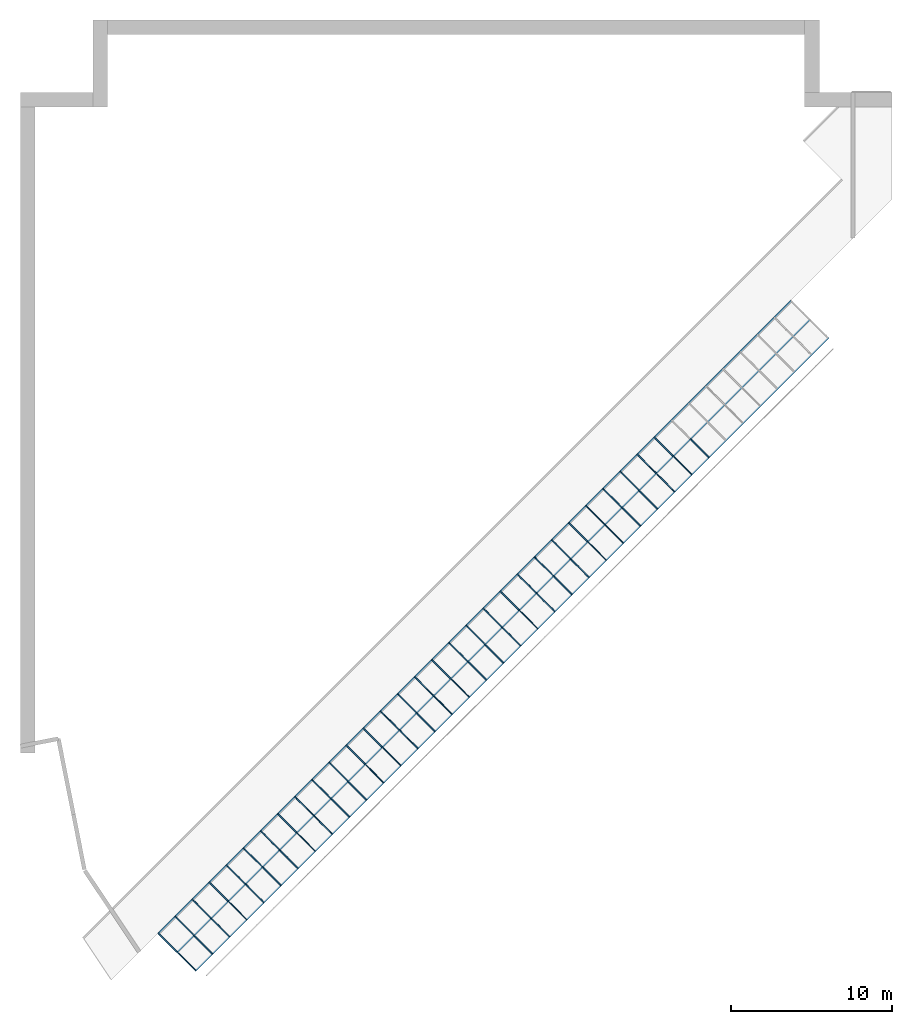
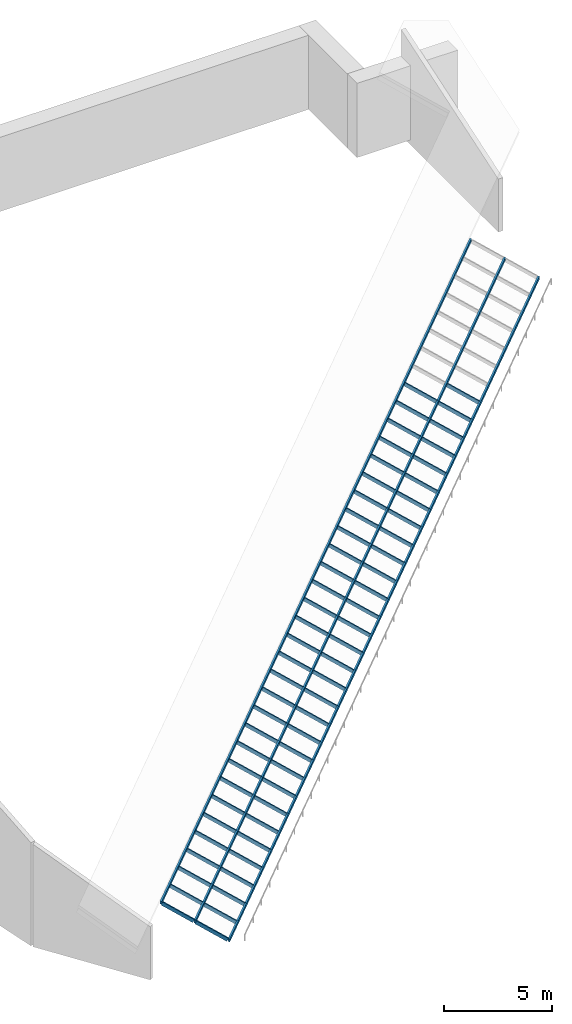
# One storey, part 1 of 4: 64 members, 1 element without a shape of its own.
"""IFC4 building model written with IfcOpenShell, lengths in metres."""

from ifc_helpers import new_model, si_unit, direction, frame, origin, origin_2d, place, context, subcontext, project, spatial, rectangle, extrude, material, material_profile, profile_set, type_object, element, aggregate, save


model = new_model("IFC4")

# Units and contexts
model_context = context("Model", 3, precision=1e-05, world=origin(), true_north=direction((0.0, 1.0)))
body_context = subcontext(model_context, "Body", "Model", "MODEL_VIEW")
ifc_project = project(units=[si_unit("LENGTHUNIT", "METRE"), si_unit("AREAUNIT", "SQUARE_METRE"), si_unit("VOLUMEUNIT", "CUBIC_METRE"), si_unit("PLANEANGLEUNIT", "RADIAN"), si_unit("MASSUNIT", "GRAM", prefix="KILO")], contexts=[model_context])

# Site, building, storey
site_placement = place(None, origin())
site = spatial("IfcSite", under=ifc_project, at=site_placement, CompositionType="ELEMENT")
building_placement = place(site_placement, origin())
building = spatial("IfcBuilding", under=site, at=building_placement, Name="Hunhe Ridgeline Campus", CompositionType="ELEMENT")
storey_placement = place(building_placement, frame((0.0, 0.0, 311.39990234375)))
storey = spatial("IfcBuildingStorey", under=building, at=storey_placement, Name="L80 Crown", CompositionType="ELEMENT", Elevation=311.39990234375)

# Curtain wall, members
ifc_material = material(Name="Aluminium 6063", Category="aluminium")
curtain_wall_type = type_object("IfcCurtainWallType", Name="Curtain wall CW-6", PredefinedType="NOTDEFINED", material=ifc_material)
curtain_wall_placement = place(storey_placement, origin())
curtain_wall = element("IfcCurtainWall", 1, at=curtain_wall_placement, inside=storey, type_object=curtain_wall_type, Name="Rooflight 2", PredefinedType="NOTDEFINED")
ifc_material_profile_1 = material_profile(ifc_material, rectangle(XDim=0.070068359375, YDim=0.199951171875, at=origin_2d()))
ifc_profile_set_1 = profile_set([ifc_material_profile_1], Name="Aluminium 6063")
member_type_1 = type_object("IfcMemberType", Name="CW-6 aluminium mullion", PredefinedType="MULLION", material=ifc_profile_set_1)
member_1_placement = place(storey_placement, frame((42.614013671875, 71.937255859375, 1.37109375), z_axis=(-0.639602149067, 0.639602149067, 0.426401432711), x_axis=(-0.707106781187, -0.707106781187, 0.0)))
member_1 = element("IfcMember", 2, at=member_1_placement, type_object=member_type_1, Name="E-L80 Crown-RL-02/M0-07", PredefinedType="MULLION", context=body_context, shape_type="SweptSolid", body=[
    extrude(rectangle(XDim=0.070068359375, YDim=0.199951171875, at=origin_2d()), origin(), (0.0, 0.0, 1.0), 1.693603515625),
])
member_2_placement = place(storey_placement, frame((41.553466796875, 70.87646484375, 1.37109375), z_axis=(-0.639602149067, 0.639602149067, 0.426401432711), x_axis=(-0.707106781187, -0.707106781187, 0.0)))
member_2 = element("IfcMember", 3, at=member_2_placement, type_object=member_type_1, Name="E-L80 Crown-RL-02/M0-08", PredefinedType="MULLION", context=body_context, shape_type="SweptSolid", body=[
    extrude(rectangle(XDim=0.070068359375, YDim=0.199951171875, at=origin_2d()), origin(), (0.0, 0.0, 1.0), 1.693603515625),
])
member_3_placement = place(storey_placement, frame((40.492919921875, 69.81591796875, 1.37109375), z_axis=(-0.639687317978, 0.63954317933, 0.426362119554), x_axis=(-0.707027102695, -0.707186450701, 0.0)))
member_3 = element("IfcMember", 4, at=member_3_placement, type_object=member_type_1, Name="E-L80 Crown-RL-02/M0-09", PredefinedType="MULLION", context=body_context, shape_type="SweptSolid", body=[
    extrude(rectangle(XDim=0.070068359375, YDim=0.199951171875, at=origin_2d()), origin(), (0.0, 0.0, 1.0), 1.69384765625),
])
member_4_placement = place(storey_placement, frame((39.43212890625, 68.755126953125, 1.37109375), z_axis=(-0.639602149067, 0.639602149067, 0.426401432711), x_axis=(-0.707106781187, -0.707106781187, 0.0)))
member_4 = element("IfcMember", 5, at=member_4_placement, type_object=member_type_1, Name="E-L80 Crown-RL-02/M0-10", PredefinedType="MULLION", context=body_context, shape_type="SweptSolid", body=[
    extrude(rectangle(XDim=0.070068359375, YDim=0.199951171875, at=origin_2d()), origin(), (0.0, 0.0, 1.0), 1.693603515625),
])
member_5_placement = place(storey_placement, frame((38.37158203125, 67.694580078125, 1.37109375), z_axis=(-0.639602149067, 0.639602149067, 0.426401432711), x_axis=(-0.707106781187, -0.707106781187, 0.0)))
member_5 = element("IfcMember", 6, at=member_5_placement, type_object=member_type_1, Name="E-L80 Crown-RL-02/M0-11", PredefinedType="MULLION", context=body_context, shape_type="SweptSolid", body=[
    extrude(rectangle(XDim=0.070068359375, YDim=0.199951171875, at=origin_2d()), origin(), (0.0, 0.0, 1.0), 1.693603515625),
])
member_6_placement = place(storey_placement, frame((37.310791015625, 66.6337890625, 1.37109375), z_axis=(-0.639602149067, 0.639602149067, 0.426401432711), x_axis=(-0.707106781187, -0.707106781187, 0.0)))
member_6 = element("IfcMember", 7, at=member_6_placement, type_object=member_type_1, Name="E-L80 Crown-RL-02/M0-12", PredefinedType="MULLION", context=body_context, shape_type="SweptSolid", body=[
    extrude(rectangle(XDim=0.070068359375, YDim=0.199951171875, at=origin_2d()), origin(), (0.0, 0.0, 1.0), 1.693603515625),
])
member_7_placement = place(storey_placement, frame((36.250244140625, 65.5732421875, 1.37109375), z_axis=(-0.639602149067, 0.639602149067, 0.426401432711), x_axis=(-0.707106781187, -0.707106781187, 0.0)))
member_7 = element("IfcMember", 8, at=member_7_placement, type_object=member_type_1, Name="E-L80 Crown-RL-02/M0-13", PredefinedType="MULLION", context=body_context, shape_type="SweptSolid", body=[
    extrude(rectangle(XDim=0.070068359375, YDim=0.199951171875, at=origin_2d()), origin(), (0.0, 0.0, 1.0), 1.693603515625),
])
member_8_placement = place(storey_placement, frame((35.189453125, 64.512451171875, 1.37109375), z_axis=(-0.63954317933, 0.639687317978, 0.426362119554), x_axis=(-0.707186450701, -0.707027102695, 0.0)))
member_8 = element("IfcMember", 9, at=member_8_placement, type_object=member_type_1, Name="E-L80 Crown-RL-02/M0-14", PredefinedType="MULLION", context=body_context, shape_type="SweptSolid", body=[
    extrude(rectangle(XDim=0.070068359375, YDim=0.199951171875, at=origin_2d()), origin(), (0.0, 0.0, 1.0), 1.69384765625),
])
member_9_placement = place(storey_placement, frame((34.12890625, 63.451904296875, 1.37109375), z_axis=(-0.639602149067, 0.639602149067, 0.426401432711), x_axis=(-0.707106781187, -0.707106781187, 0.0)))
member_9 = element("IfcMember", 10, at=member_9_placement, type_object=member_type_1, Name="E-L80 Crown-RL-02/M0-15", PredefinedType="MULLION", context=body_context, shape_type="SweptSolid", body=[
    extrude(rectangle(XDim=0.070068359375, YDim=0.199951171875, at=origin_2d()), origin(), (0.0, 0.0, 1.0), 1.693603515625),
])
member_10_placement = place(storey_placement, frame((33.068115234375, 62.39111328125, 1.37109375), z_axis=(-0.63954317933, 0.639687317978, 0.426362119554), x_axis=(-0.707186450701, -0.707027102695, 0.0)))
member_10 = element("IfcMember", 11, at=member_10_placement, type_object=member_type_1, Name="E-L80 Crown-RL-02/M0-16", PredefinedType="MULLION", context=body_context, shape_type="SweptSolid", body=[
    extrude(rectangle(XDim=0.070068359375, YDim=0.199951171875, at=origin_2d()), origin(), (0.0, 0.0, 1.0), 1.69384765625),
])
member_11_placement = place(storey_placement, frame((32.007568359375, 61.33056640625, 1.37109375), z_axis=(-0.639602149067, 0.639602149067, 0.426401432711), x_axis=(-0.707106781187, -0.707106781187, 0.0)))
member_11 = element("IfcMember", 12, at=member_11_placement, type_object=member_type_1, Name="E-L80 Crown-RL-02/M0-17", PredefinedType="MULLION", context=body_context, shape_type="SweptSolid", body=[
    extrude(rectangle(XDim=0.070068359375, YDim=0.199951171875, at=origin_2d()), origin(), (0.0, 0.0, 1.0), 1.693603515625),
])
member_12_placement = place(storey_placement, frame((30.94677734375, 60.27001953125, 1.37109375), z_axis=(-0.639602149067, 0.639602149067, 0.426401432711), x_axis=(-0.707106781187, -0.707106781187, 0.0)))
member_12 = element("IfcMember", 13, at=member_12_placement, type_object=member_type_1, Name="E-L80 Crown-RL-02/M0-18", PredefinedType="MULLION", context=body_context, shape_type="SweptSolid", body=[
    extrude(rectangle(XDim=0.070068359375, YDim=0.199951171875, at=origin_2d()), origin(), (0.0, 0.0, 1.0), 1.693603515625),
])
member_13_placement = place(storey_placement, frame((29.88623046875, 59.209228515625, 1.37109375), z_axis=(-0.639602149067, 0.639602149067, 0.426401432711), x_axis=(-0.707106781187, -0.707106781187, 0.0)))
member_13 = element("IfcMember", 14, at=member_13_placement, type_object=member_type_1, Name="E-L80 Crown-RL-02/M0-19", PredefinedType="MULLION", context=body_context, shape_type="SweptSolid", body=[
    extrude(rectangle(XDim=0.070068359375, YDim=0.199951171875, at=origin_2d()), origin(), (0.0, 0.0, 1.0), 1.693603515625),
])
member_14_placement = place(storey_placement, frame((28.825439453125, 58.148681640625, 1.37109375), z_axis=(-0.639602149067, 0.639602149067, 0.426401432711), x_axis=(-0.707106781187, -0.707106781187, 0.0)))
member_14 = element("IfcMember", 15, at=member_14_placement, type_object=member_type_1, Name="E-L80 Crown-RL-02/M0-20", PredefinedType="MULLION", context=body_context, shape_type="SweptSolid", body=[
    extrude(rectangle(XDim=0.070068359375, YDim=0.199951171875, at=origin_2d()), origin(), (0.0, 0.0, 1.0), 1.693603515625),
])
member_15_placement = place(storey_placement, frame((27.764892578125, 57.087890625, 1.37109375), z_axis=(-0.639602149067, 0.639602149067, 0.426401432711), x_axis=(-0.707106781187, -0.707106781187, 0.0)))
member_15 = element("IfcMember", 16, at=member_15_placement, type_object=member_type_1, Name="E-L80 Crown-RL-02/M0-21", PredefinedType="MULLION", context=body_context, shape_type="SweptSolid", body=[
    extrude(rectangle(XDim=0.070068359375, YDim=0.199951171875, at=origin_2d()), origin(), (0.0, 0.0, 1.0), 1.693603515625),
])
member_16_placement = place(storey_placement, frame((26.7041015625, 56.02734375, 1.37109375), z_axis=(-0.639602149067, 0.639602149067, 0.426401432711), x_axis=(-0.707106781187, -0.707106781187, 0.0)))
member_16 = element("IfcMember", 17, at=member_16_placement, type_object=member_type_1, Name="E-L80 Crown-RL-02/M0-22", PredefinedType="MULLION", context=body_context, shape_type="SweptSolid", body=[
    extrude(rectangle(XDim=0.070068359375, YDim=0.199951171875, at=origin_2d()), origin(), (0.0, 0.0, 1.0), 1.693603515625),
])
member_17_placement = place(storey_placement, frame((25.6435546875, 54.966552734375, 1.37109375), z_axis=(-0.639602149067, 0.639602149067, 0.426401432711), x_axis=(-0.707106781187, -0.707106781187, 0.0)))
member_17 = element("IfcMember", 18, at=member_17_placement, type_object=member_type_1, Name="E-L80 Crown-RL-02/M0-23", PredefinedType="MULLION", context=body_context, shape_type="SweptSolid", body=[
    extrude(rectangle(XDim=0.070068359375, YDim=0.199951171875, at=origin_2d()), origin(), (0.0, 0.0, 1.0), 1.693603515625),
])
member_18_placement = place(storey_placement, frame((24.5830078125, 53.906005859375, 1.37109375), z_axis=(-0.639687317978, 0.63954317933, 0.426362119554), x_axis=(-0.707027102695, -0.707186450701, 0.0)))
member_18 = element("IfcMember", 19, at=member_18_placement, type_object=member_type_1, Name="E-L80 Crown-RL-02/M0-24", PredefinedType="MULLION", context=body_context, shape_type="SweptSolid", body=[
    extrude(rectangle(XDim=0.070068359375, YDim=0.199951171875, at=origin_2d()), origin(), (0.0, 0.0, 1.0), 1.69384765625),
])
member_19_placement = place(storey_placement, frame((23.522216796875, 52.84521484375, 1.37109375), z_axis=(-0.639602149067, 0.639602149067, 0.426401432711), x_axis=(-0.707106781187, -0.707106781187, 0.0)))
member_19 = element("IfcMember", 20, at=member_19_placement, type_object=member_type_1, Name="E-L80 Crown-RL-02/M0-25", PredefinedType="MULLION", context=body_context, shape_type="SweptSolid", body=[
    extrude(rectangle(XDim=0.070068359375, YDim=0.199951171875, at=origin_2d()), origin(), (0.0, 0.0, 1.0), 1.693603515625),
])
member_20_placement = place(storey_placement, frame((22.461669921875, 51.78466796875, 1.37109375), z_axis=(-0.639602149067, 0.639602149067, 0.426401432711), x_axis=(-0.707106781187, -0.707106781187, 0.0)))
member_20 = element("IfcMember", 21, at=member_20_placement, type_object=member_type_1, Name="E-L80 Crown-RL-02/M0-26", PredefinedType="MULLION", context=body_context, shape_type="SweptSolid", body=[
    extrude(rectangle(XDim=0.070068359375, YDim=0.199951171875, at=origin_2d()), origin(), (0.0, 0.0, 1.0), 1.693603515625),
])
member_21_placement = place(storey_placement, frame((21.40087890625, 50.723876953125, 1.37109375), z_axis=(-0.639602149067, 0.639602149067, 0.426401432711), x_axis=(-0.707106781187, -0.707106781187, 0.0)))
member_21 = element("IfcMember", 22, at=member_21_placement, type_object=member_type_1, Name="E-L80 Crown-RL-02/M0-27", PredefinedType="MULLION", context=body_context, shape_type="SweptSolid", body=[
    extrude(rectangle(XDim=0.070068359375, YDim=0.199951171875, at=origin_2d()), origin(), (0.0, 0.0, 1.0), 1.693603515625),
])
member_22_placement = place(storey_placement, frame((20.34033203125, 49.663330078125, 1.37109375), z_axis=(-0.639602149067, 0.639602149067, 0.426401432711), x_axis=(-0.707106781187, -0.707106781187, 0.0)))
member_22 = element("IfcMember", 23, at=member_22_placement, type_object=member_type_1, Name="E-L80 Crown-RL-02/M0-28", PredefinedType="MULLION", context=body_context, shape_type="SweptSolid", body=[
    extrude(rectangle(XDim=0.070068359375, YDim=0.199951171875, at=origin_2d()), origin(), (0.0, 0.0, 1.0), 1.693603515625),
])
member_23_placement = place(storey_placement, frame((19.279541015625, 48.6025390625, 1.37109375), z_axis=(-0.63954317933, 0.639687317978, 0.426362119554), x_axis=(-0.707186450701, -0.707027102695, 0.0)))
member_23 = element("IfcMember", 24, at=member_23_placement, type_object=member_type_1, Name="E-L80 Crown-RL-02/M0-29", PredefinedType="MULLION", context=body_context, shape_type="SweptSolid", body=[
    extrude(rectangle(XDim=0.070068359375, YDim=0.199951171875, at=origin_2d()), origin(), (0.0, 0.0, 1.0), 1.69384765625),
])
member_24_placement = place(storey_placement, frame((18.218994140625, 47.5419921875, 1.37109375), z_axis=(-0.639602149067, 0.639602149067, 0.426401432711), x_axis=(-0.707106781187, -0.707106781187, 0.0)))
member_24 = element("IfcMember", 25, at=member_24_placement, type_object=member_type_1, Name="E-L80 Crown-RL-02/M0-30", PredefinedType="MULLION", context=body_context, shape_type="SweptSolid", body=[
    extrude(rectangle(XDim=0.070068359375, YDim=0.199951171875, at=origin_2d()), origin(), (0.0, 0.0, 1.0), 1.693603515625),
])
member_25_placement = place(storey_placement, frame((17.158203125, 46.4814453125, 1.37109375), z_axis=(-0.639602149067, 0.639602149067, 0.426401432711), x_axis=(-0.707106781187, -0.707106781187, 0.0)))
member_25 = element("IfcMember", 26, at=member_25_placement, type_object=member_type_1, Name="E-L80 Crown-RL-02/M0-31", PredefinedType="MULLION", context=body_context, shape_type="SweptSolid", body=[
    extrude(rectangle(XDim=0.070068359375, YDim=0.199951171875, at=origin_2d()), origin(), (0.0, 0.0, 1.0), 1.693603515625),
])
member_26_placement = place(storey_placement, frame((16.09765625, 45.420654296875, 1.37109375), z_axis=(-0.639602149067, 0.639602149067, 0.426401432711), x_axis=(-0.707106781187, -0.707106781187, 0.0)))
member_26 = element("IfcMember", 27, at=member_26_placement, type_object=member_type_1, Name="E-L80 Crown-RL-02/M0-32", PredefinedType="MULLION", context=body_context, shape_type="SweptSolid", body=[
    extrude(rectangle(XDim=0.070068359375, YDim=0.199951171875, at=origin_2d()), origin(), (0.0, 0.0, 1.0), 1.693603515625),
])
member_27_placement = place(storey_placement, frame((15.036865234375, 44.360107421875, 1.37109375), z_axis=(-0.639602149067, 0.639602149067, 0.426401432711), x_axis=(-0.707106781187, -0.707106781187, 0.0)))
member_27 = element("IfcMember", 28, at=member_27_placement, type_object=member_type_1, Name="E-L80 Crown-RL-02/M0-33", PredefinedType="MULLION", context=body_context, shape_type="SweptSolid", body=[
    extrude(rectangle(XDim=0.070068359375, YDim=0.199951171875, at=origin_2d()), origin(), (0.0, 0.0, 1.0), 1.693603515625),
])
member_28_placement = place(storey_placement, frame((13.976318359375, 43.29931640625, 1.37109375), z_axis=(-0.639602149067, 0.639602149067, 0.426401432711), x_axis=(-0.707106781187, -0.707106781187, 0.0)))
member_28 = element("IfcMember", 29, at=member_28_placement, type_object=member_type_1, Name="E-L80 Crown-RL-02/M0-34", PredefinedType="MULLION", context=body_context, shape_type="SweptSolid", body=[
    extrude(rectangle(XDim=0.070068359375, YDim=0.199951171875, at=origin_2d()), origin(), (0.0, 0.0, 1.0), 1.693603515625),
])
member_29_placement = place(storey_placement, frame((12.91552734375, 42.23876953125, 1.37109375), z_axis=(-0.639602149067, 0.639602149067, 0.426401432711), x_axis=(-0.707106781187, -0.707106781187, 0.0)))
member_29 = element("IfcMember", 30, at=member_29_placement, type_object=member_type_1, Name="E-L80 Crown-RL-02/M0-35", PredefinedType="MULLION", context=body_context, shape_type="SweptSolid", body=[
    extrude(rectangle(XDim=0.070068359375, YDim=0.199951171875, at=origin_2d()), origin(), (0.0, 0.0, 1.0), 1.693603515625),
])
member_30_placement = place(storey_placement, frame((11.85498046875, 41.177978515625, 1.37109375), z_axis=(-0.639602149067, 0.639602149067, 0.426401432711), x_axis=(-0.707106781187, -0.707106781187, 0.0)))
member_30 = element("IfcMember", 31, at=member_30_placement, type_object=member_type_1, Name="E-L80 Crown-RL-02/M0-36", PredefinedType="MULLION", context=body_context, shape_type="SweptSolid", body=[
    extrude(rectangle(XDim=0.070068359375, YDim=0.199951171875, at=origin_2d()), origin(), (0.0, 0.0, 1.0), 1.693603515625),
])
member_31_placement = place(storey_placement, frame((10.819091796875, 40.14208984375, 1.37109375), z_axis=(-0.639602149067, 0.639602149067, 0.426401432711), x_axis=(-0.707106781187, -0.707106781187, 0.0)))
member_31 = element("IfcMember", 32, at=member_31_placement, type_object=member_type_1, Name="E-L80 Crown-RL-02/M0-37", PredefinedType="MULLION", context=body_context, shape_type="SweptSolid", body=[
    extrude(rectangle(XDim=0.070068359375, YDim=0.199951171875, at=origin_2d()), origin(), (0.0, 0.0, 1.0), 1.693603515625),
])
member_32_placement = place(storey_placement, frame((40.3994140625, 72.030517578125, 2.140380859375), z_axis=(-0.639602149067, 0.639602149067, 0.426401432711), x_axis=(-0.707106781187, -0.707106781187, 0.0)))
member_32 = element("IfcMember", 33, at=member_32_placement, type_object=member_type_1, Name="E-L80 Crown-RL-02/M1-08", PredefinedType="MULLION", context=body_context, shape_type="SweptSolid", body=[
    extrude(rectangle(XDim=0.070068359375, YDim=0.199951171875, at=origin_2d()), origin(), (0.0, 0.0, 1.0), 1.693603515625),
])
member_33_placement = place(storey_placement, frame((39.3388671875, 70.9697265625, 2.140380859375), z_axis=(-0.63954317933, 0.639687317978, 0.426362119554), x_axis=(-0.707186450701, -0.707027102695, 0.0)))
member_33 = element("IfcMember", 34, at=member_33_placement, type_object=member_type_1, Name="E-L80 Crown-RL-02/M1-09", PredefinedType="MULLION", context=body_context, shape_type="SweptSolid", body=[
    extrude(rectangle(XDim=0.070068359375, YDim=0.199951171875, at=origin_2d()), origin(), (0.0, 0.0, 1.0), 1.69384765625),
])
member_34_placement = place(storey_placement, frame((38.278076171875, 69.9091796875, 2.140380859375), z_axis=(-0.639602149067, 0.639602149067, 0.426401432711), x_axis=(-0.707106781187, -0.707106781187, 0.0)))
member_34 = element("IfcMember", 35, at=member_34_placement, type_object=member_type_1, Name="E-L80 Crown-RL-02/M1-10", PredefinedType="MULLION", context=body_context, shape_type="SweptSolid", body=[
    extrude(rectangle(XDim=0.070068359375, YDim=0.199951171875, at=origin_2d()), origin(), (0.0, 0.0, 1.0), 1.693603515625),
])
member_35_placement = place(storey_placement, frame((37.217529296875, 68.8486328125, 2.140380859375), z_axis=(-0.639602149067, 0.639602149067, 0.426401432711), x_axis=(-0.707106781187, -0.707106781187, 0.0)))
member_35 = element("IfcMember", 36, at=member_35_placement, type_object=member_type_1, Name="E-L80 Crown-RL-02/M1-11", PredefinedType="MULLION", context=body_context, shape_type="SweptSolid", body=[
    extrude(rectangle(XDim=0.070068359375, YDim=0.199951171875, at=origin_2d()), origin(), (0.0, 0.0, 1.0), 1.693603515625),
])
member_36_placement = place(storey_placement, frame((36.15673828125, 67.787841796875, 2.140380859375), z_axis=(-0.639602149067, 0.639602149067, 0.426401432711), x_axis=(-0.707106781187, -0.707106781187, 0.0)))
member_36 = element("IfcMember", 37, at=member_36_placement, type_object=member_type_1, Name="E-L80 Crown-RL-02/M1-12", PredefinedType="MULLION", context=body_context, shape_type="SweptSolid", body=[
    extrude(rectangle(XDim=0.070068359375, YDim=0.199951171875, at=origin_2d()), origin(), (0.0, 0.0, 1.0), 1.693603515625),
])
member_37_placement = place(storey_placement, frame((35.09619140625, 66.727294921875, 2.140380859375), z_axis=(-0.639602149067, 0.639602149067, 0.426401432711), x_axis=(-0.707106781187, -0.707106781187, 0.0)))
member_37 = element("IfcMember", 38, at=member_37_placement, type_object=member_type_1, Name="E-L80 Crown-RL-02/M1-13", PredefinedType="MULLION", context=body_context, shape_type="SweptSolid", body=[
    extrude(rectangle(XDim=0.070068359375, YDim=0.199951171875, at=origin_2d()), origin(), (0.0, 0.0, 1.0), 1.693603515625),
])
member_38_placement = place(storey_placement, frame((34.035400390625, 65.66650390625, 2.140380859375), z_axis=(-0.639602149067, 0.639602149067, 0.426401432711), x_axis=(-0.707106781187, -0.707106781187, 0.0)))
member_38 = element("IfcMember", 39, at=member_38_placement, type_object=member_type_1, Name="E-L80 Crown-RL-02/M1-14", PredefinedType="MULLION", context=body_context, shape_type="SweptSolid", body=[
    extrude(rectangle(XDim=0.070068359375, YDim=0.199951171875, at=origin_2d()), origin(), (0.0, 0.0, 1.0), 1.693603515625),
])
member_39_placement = place(storey_placement, frame((32.974853515625, 64.60595703125, 2.140380859375), z_axis=(-0.639602149067, 0.639602149067, 0.426401432711), x_axis=(-0.707106781187, -0.707106781187, 0.0)))
member_39 = element("IfcMember", 40, at=member_39_placement, type_object=member_type_1, Name="E-L80 Crown-RL-02/M1-15", PredefinedType="MULLION", context=body_context, shape_type="SweptSolid", body=[
    extrude(rectangle(XDim=0.070068359375, YDim=0.199951171875, at=origin_2d()), origin(), (0.0, 0.0, 1.0), 1.693603515625),
])
member_40_placement = place(storey_placement, frame((31.914306640625, 63.545166015625, 2.140380859375), z_axis=(-0.639687317978, 0.63954317933, 0.426362119554), x_axis=(-0.707027102695, -0.707186450701, 0.0)))
member_40 = element("IfcMember", 41, at=member_40_placement, type_object=member_type_1, Name="E-L80 Crown-RL-02/M1-16", PredefinedType="MULLION", context=body_context, shape_type="SweptSolid", body=[
    extrude(rectangle(XDim=0.070068359375, YDim=0.199951171875, at=origin_2d()), origin(), (0.0, 0.0, 1.0), 1.69384765625),
])
member_41_placement = place(storey_placement, frame((30.853515625, 62.484619140625, 2.140380859375), z_axis=(-0.639602149067, 0.639602149067, 0.426401432711), x_axis=(-0.707106781187, -0.707106781187, 0.0)))
member_41 = element("IfcMember", 42, at=member_41_placement, type_object=member_type_1, Name="E-L80 Crown-RL-02/M1-17", PredefinedType="MULLION", context=body_context, shape_type="SweptSolid", body=[
    extrude(rectangle(XDim=0.070068359375, YDim=0.199951171875, at=origin_2d()), origin(), (0.0, 0.0, 1.0), 1.693603515625),
])
member_42_placement = place(storey_placement, frame((29.79296875, 61.423828125, 2.140380859375), z_axis=(-0.639602149067, 0.639602149067, 0.426401432711), x_axis=(-0.707106781187, -0.707106781187, 0.0)))
member_42 = element("IfcMember", 43, at=member_42_placement, type_object=member_type_1, Name="E-L80 Crown-RL-02/M1-18", PredefinedType="MULLION", context=body_context, shape_type="SweptSolid", body=[
    extrude(rectangle(XDim=0.070068359375, YDim=0.199951171875, at=origin_2d()), origin(), (0.0, 0.0, 1.0), 1.693603515625),
])
member_43_placement = place(storey_placement, frame((28.732177734375, 60.36328125, 2.140380859375), z_axis=(-0.639602149067, 0.639602149067, 0.426401432711), x_axis=(-0.707106781187, -0.707106781187, 0.0)))
member_43 = element("IfcMember", 44, at=member_43_placement, type_object=member_type_1, Name="E-L80 Crown-RL-02/M1-19", PredefinedType="MULLION", context=body_context, shape_type="SweptSolid", body=[
    extrude(rectangle(XDim=0.070068359375, YDim=0.199951171875, at=origin_2d()), origin(), (0.0, 0.0, 1.0), 1.693603515625),
])
member_44_placement = place(storey_placement, frame((27.671630859375, 59.302490234375, 2.140380859375), z_axis=(-0.639602149067, 0.639602149067, 0.426401432711), x_axis=(-0.707106781187, -0.707106781187, 0.0)))
member_44 = element("IfcMember", 45, at=member_44_placement, type_object=member_type_1, Name="E-L80 Crown-RL-02/M1-20", PredefinedType="MULLION", context=body_context, shape_type="SweptSolid", body=[
    extrude(rectangle(XDim=0.070068359375, YDim=0.199951171875, at=origin_2d()), origin(), (0.0, 0.0, 1.0), 1.693603515625),
])
member_45_placement = place(storey_placement, frame((26.61083984375, 58.241943359375, 2.140380859375), z_axis=(-0.639602149067, 0.639602149067, 0.426401432711), x_axis=(-0.707106781187, -0.707106781187, 0.0)))
member_45 = element("IfcMember", 46, at=member_45_placement, type_object=member_type_1, Name="E-L80 Crown-RL-02/M1-21", PredefinedType="MULLION", context=body_context, shape_type="SweptSolid", body=[
    extrude(rectangle(XDim=0.070068359375, YDim=0.199951171875, at=origin_2d()), origin(), (0.0, 0.0, 1.0), 1.693603515625),
])
member_46_placement = place(storey_placement, frame((25.55029296875, 57.18115234375, 2.140380859375), z_axis=(-0.63954317933, 0.639687317978, 0.426362119554), x_axis=(-0.707186450701, -0.707027102695, 0.0)))
member_46 = element("IfcMember", 47, at=member_46_placement, type_object=member_type_1, Name="E-L80 Crown-RL-02/M1-22", PredefinedType="MULLION", context=body_context, shape_type="SweptSolid", body=[
    extrude(rectangle(XDim=0.070068359375, YDim=0.199951171875, at=origin_2d()), origin(), (0.0, 0.0, 1.0), 1.69384765625),
])
member_47_placement = place(storey_placement, frame((24.489501953125, 56.12060546875, 2.140380859375), z_axis=(-0.639602149067, 0.639602149067, 0.426401432711), x_axis=(-0.707106781187, -0.707106781187, 0.0)))
member_47 = element("IfcMember", 48, at=member_47_placement, type_object=member_type_1, Name="E-L80 Crown-RL-02/M1-23", PredefinedType="MULLION", context=body_context, shape_type="SweptSolid", body=[
    extrude(rectangle(XDim=0.070068359375, YDim=0.199951171875, at=origin_2d()), origin(), (0.0, 0.0, 1.0), 1.693603515625),
])
member_48_placement = place(storey_placement, frame((23.428955078125, 55.059814453125, 2.140380859375), z_axis=(-0.63954317933, 0.639687317978, 0.426362119554), x_axis=(-0.707186450701, -0.707027102695, 0.0)))
member_48 = element("IfcMember", 49, at=member_48_placement, type_object=member_type_1, Name="E-L80 Crown-RL-02/M1-24", PredefinedType="MULLION", context=body_context, shape_type="SweptSolid", body=[
    extrude(rectangle(XDim=0.070068359375, YDim=0.199951171875, at=origin_2d()), origin(), (0.0, 0.0, 1.0), 1.69384765625),
])
member_49_placement = place(storey_placement, frame((22.3681640625, 53.999267578125, 2.140380859375), z_axis=(-0.639602149067, 0.639602149067, 0.426401432711), x_axis=(-0.707106781187, -0.707106781187, 0.0)))
member_49 = element("IfcMember", 50, at=member_49_placement, type_object=member_type_1, Name="E-L80 Crown-RL-02/M1-25", PredefinedType="MULLION", context=body_context, shape_type="SweptSolid", body=[
    extrude(rectangle(XDim=0.070068359375, YDim=0.199951171875, at=origin_2d()), origin(), (0.0, 0.0, 1.0), 1.693603515625),
])
member_50_placement = place(storey_placement, frame((21.3076171875, 52.938720703125, 2.140380859375), z_axis=(-0.639602149067, 0.639602149067, 0.426401432711), x_axis=(-0.707106781187, -0.707106781187, 0.0)))
member_50 = element("IfcMember", 51, at=member_50_placement, type_object=member_type_1, Name="E-L80 Crown-RL-02/M1-26", PredefinedType="MULLION", context=body_context, shape_type="SweptSolid", body=[
    extrude(rectangle(XDim=0.070068359375, YDim=0.199951171875, at=origin_2d()), origin(), (0.0, 0.0, 1.0), 1.693603515625),
])
member_51_placement = place(storey_placement, frame((20.246826171875, 51.8779296875, 2.140380859375), z_axis=(-0.639602149067, 0.639602149067, 0.426401432711), x_axis=(-0.707106781187, -0.707106781187, 0.0)))
member_51 = element("IfcMember", 52, at=member_51_placement, type_object=member_type_1, Name="E-L80 Crown-RL-02/M1-27", PredefinedType="MULLION", context=body_context, shape_type="SweptSolid", body=[
    extrude(rectangle(XDim=0.070068359375, YDim=0.199951171875, at=origin_2d()), origin(), (0.0, 0.0, 1.0), 1.693603515625),
])
member_52_placement = place(storey_placement, frame((19.186279296875, 50.8173828125, 2.140380859375), z_axis=(-0.639602149067, 0.639602149067, 0.426401432711), x_axis=(-0.707106781187, -0.707106781187, 0.0)))
member_52 = element("IfcMember", 53, at=member_52_placement, type_object=member_type_1, Name="E-L80 Crown-RL-02/M1-28", PredefinedType="MULLION", context=body_context, shape_type="SweptSolid", body=[
    extrude(rectangle(XDim=0.070068359375, YDim=0.199951171875, at=origin_2d()), origin(), (0.0, 0.0, 1.0), 1.693603515625),
])
member_53_placement = place(storey_placement, frame((18.125732421875, 49.756591796875, 2.140380859375), z_axis=(-0.639687317978, 0.63954317933, 0.426362119554), x_axis=(-0.707027102695, -0.707186450701, 0.0)))
member_53 = element("IfcMember", 54, at=member_53_placement, type_object=member_type_1, Name="E-L80 Crown-RL-02/M1-29", PredefinedType="MULLION", context=body_context, shape_type="SweptSolid", body=[
    extrude(rectangle(XDim=0.070068359375, YDim=0.199951171875, at=origin_2d()), origin(), (0.0, 0.0, 1.0), 1.69384765625),
])
member_54_placement = place(storey_placement, frame((17.06494140625, 48.696044921875, 2.140380859375), z_axis=(-0.639602149067, 0.639602149067, 0.426401432711), x_axis=(-0.707106781187, -0.707106781187, 0.0)))
member_54 = element("IfcMember", 55, at=member_54_placement, type_object=member_type_1, Name="E-L80 Crown-RL-02/M1-30", PredefinedType="MULLION", context=body_context, shape_type="SweptSolid", body=[
    extrude(rectangle(XDim=0.070068359375, YDim=0.199951171875, at=origin_2d()), origin(), (0.0, 0.0, 1.0), 1.693603515625),
])
member_55_placement = place(storey_placement, frame((16.00439453125, 47.63525390625, 2.140380859375), z_axis=(-0.639687317978, 0.63954317933, 0.426362119554), x_axis=(-0.707027102695, -0.707186450701, 0.0)))
member_55 = element("IfcMember", 56, at=member_55_placement, type_object=member_type_1, Name="E-L80 Crown-RL-02/M1-31", PredefinedType="MULLION", context=body_context, shape_type="SweptSolid", body=[
    extrude(rectangle(XDim=0.070068359375, YDim=0.199951171875, at=origin_2d()), origin(), (0.0, 0.0, 1.0), 1.69384765625),
])
member_56_placement = place(storey_placement, frame((14.943603515625, 46.57470703125, 2.140380859375), z_axis=(-0.639602149067, 0.639602149067, 0.426401432711), x_axis=(-0.707106781187, -0.707106781187, 0.0)))
member_56 = element("IfcMember", 57, at=member_56_placement, type_object=member_type_1, Name="E-L80 Crown-RL-02/M1-32", PredefinedType="MULLION", context=body_context, shape_type="SweptSolid", body=[
    extrude(rectangle(XDim=0.070068359375, YDim=0.199951171875, at=origin_2d()), origin(), (0.0, 0.0, 1.0), 1.693603515625),
])
member_57_placement = place(storey_placement, frame((13.883056640625, 45.513916015625, 2.140380859375), z_axis=(-0.639602149067, 0.639602149067, 0.426401432711), x_axis=(-0.707106781187, -0.707106781187, 0.0)))
member_57 = element("IfcMember", 58, at=member_57_placement, type_object=member_type_1, Name="E-L80 Crown-RL-02/M1-33", PredefinedType="MULLION", context=body_context, shape_type="SweptSolid", body=[
    extrude(rectangle(XDim=0.070068359375, YDim=0.199951171875, at=origin_2d()), origin(), (0.0, 0.0, 1.0), 1.693603515625),
])
member_58_placement = place(storey_placement, frame((12.822265625, 44.453369140625, 2.140380859375), z_axis=(-0.639602149067, 0.639602149067, 0.426401432711), x_axis=(-0.707106781187, -0.707106781187, 0.0)))
member_58 = element("IfcMember", 59, at=member_58_placement, type_object=member_type_1, Name="E-L80 Crown-RL-02/M1-34", PredefinedType="MULLION", context=body_context, shape_type="SweptSolid", body=[
    extrude(rectangle(XDim=0.070068359375, YDim=0.199951171875, at=origin_2d()), origin(), (0.0, 0.0, 1.0), 1.693603515625),
])
member_59_placement = place(storey_placement, frame((11.76171875, 43.392578125, 2.140380859375), z_axis=(-0.639602149067, 0.639602149067, 0.426401432711), x_axis=(-0.707106781187, -0.707106781187, 0.0)))
member_59 = element("IfcMember", 60, at=member_59_placement, type_object=member_type_1, Name="E-L80 Crown-RL-02/M1-35", PredefinedType="MULLION", context=body_context, shape_type="SweptSolid", body=[
    extrude(rectangle(XDim=0.070068359375, YDim=0.199951171875, at=origin_2d()), origin(), (0.0, 0.0, 1.0), 1.693603515625),
])
member_60_placement = place(storey_placement, frame((10.700927734375, 42.33203125, 2.140380859375), z_axis=(-0.639602149067, 0.639602149067, 0.426401432711), x_axis=(-0.707106781187, -0.707106781187, 0.0)))
member_60 = element("IfcMember", 61, at=member_60_placement, type_object=member_type_1, Name="E-L80 Crown-RL-02/M1-36", PredefinedType="MULLION", context=body_context, shape_type="SweptSolid", body=[
    extrude(rectangle(XDim=0.070068359375, YDim=0.199951171875, at=origin_2d()), origin(), (0.0, 0.0, 1.0), 1.693603515625),
])
member_61_placement = place(storey_placement, frame((9.6650390625, 41.296142578125, 2.140380859375), z_axis=(-0.639602149067, 0.639602149067, 0.426401432711), x_axis=(-0.707106781187, -0.707106781187, 0.0)))
member_61 = element("IfcMember", 62, at=member_61_placement, type_object=member_type_1, Name="E-L80 Crown-RL-02/M1-37", PredefinedType="MULLION", context=body_context, shape_type="SweptSolid", body=[
    extrude(rectangle(XDim=0.070068359375, YDim=0.199951171875, at=origin_2d()), origin(), (0.0, 0.0, 1.0), 1.693603515625),
])
ifc_material_profile_2 = material_profile(ifc_material, rectangle(XDim=0.10009765625, YDim=0.159912109375, at=origin_2d()))
ifc_profile_set_2 = profile_set([ifc_material_profile_2], Name="Aluminium 6063")
member_type_2 = type_object("IfcMemberType", Name="CW-6 aluminium transom", PredefinedType="USERDEFINED", material=ifc_profile_set_2)
member_62_placement = place(storey_placement, frame((50.080078125, 79.3203125, 1.365478515625), z_axis=(-0.707106781187, -0.707106781187, 0.0), x_axis=(0.707106781187, -0.707106781187, 0.0)))
member_62 = element("IfcMember", 63, at=member_62_placement, type_object=member_type_2, Name="E-L80 Crown-RL-02/T0", ObjectType="TRANSOM", PredefinedType="USERDEFINED", context=body_context, shape_type="SweptSolid", body=[
    extrude(rectangle(XDim=0.10009765625, YDim=0.159912109375, at=origin_2d()), origin(), (0.0, 0.0, 1.0), 55.5),
])
member_63_placement = place(storey_placement, frame((48.92626953125, 80.474365234375, 2.134765625), z_axis=(-0.707108980644, -0.707104581723, 0.0), x_axis=(0.707104581723, -0.707108980644, 0.0)))
member_63 = element("IfcMember", 64, at=member_63_placement, type_object=member_type_2, Name="E-L80 Crown-RL-02/T1", ObjectType="TRANSOM", PredefinedType="USERDEFINED", context=body_context, shape_type="SweptSolid", body=[
    extrude(rectangle(XDim=0.10009765625, YDim=0.159912109375, at=origin_2d()), origin(), (0.0, 0.0, 1.0), 55.5),
])
member_64_placement = place(storey_placement, frame((47.772216796875, 81.62841796875, 2.904296875), z_axis=(-0.707106781187, -0.707106781187, 0.0), x_axis=(0.707106781187, -0.707106781187, 0.0)))
member_64 = element("IfcMember", 65, at=member_64_placement, type_object=member_type_2, Name="E-L80 Crown-RL-02/T2", ObjectType="TRANSOM", PredefinedType="USERDEFINED", context=body_context, shape_type="SweptSolid", body=[
    extrude(rectangle(XDim=0.10009765625, YDim=0.159912109375, at=origin_2d()), origin(), (0.0, 0.0, 1.0), 55.5),
])
aggregate(curtain_wall, [member_62, member_63, member_64, member_1, member_2, member_3, member_4, member_5, member_6, member_7, member_8, member_9, member_10, member_11, member_12, member_13, member_14, member_15, member_16, member_17, member_18, member_19, member_20, member_21, member_22, member_23, member_24, member_25, member_26, member_27, member_28, member_29, member_30, member_31, member_32, member_33, member_34, member_35, member_36, member_37, member_38, member_39, member_40, member_41, member_42, member_43, member_44, member_45, member_46, member_47, member_48, member_49, member_50, member_51, member_52, member_53, member_54, member_55, member_56, member_57, member_58, member_59, member_60, member_61])

save(model, "model.ifc")
